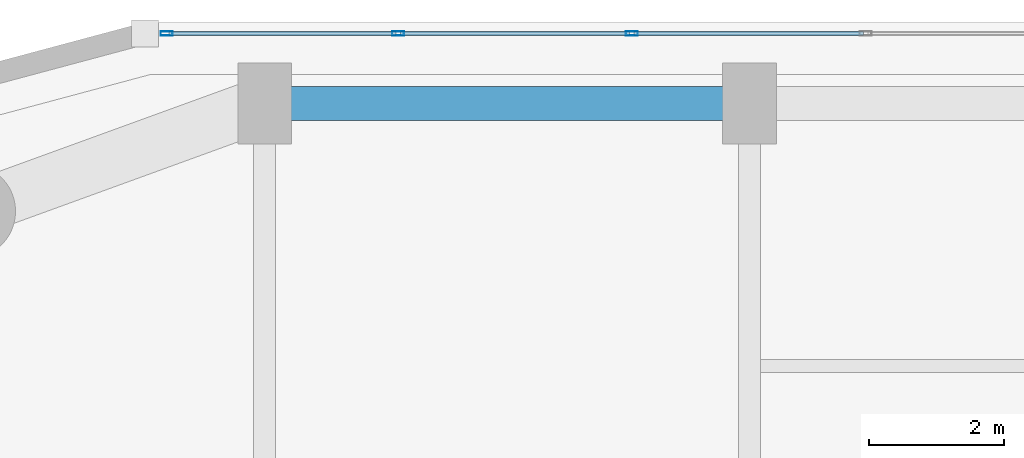
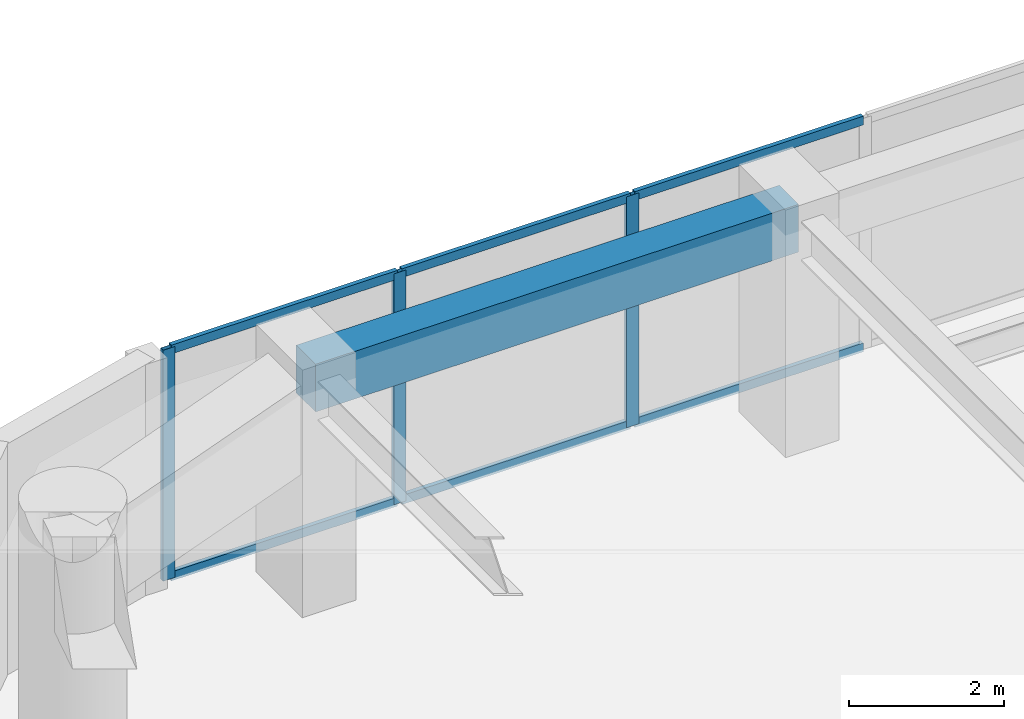
# One storey, part 13 of 24: 9 members, 1 beam, 1 element without a shape of its own.
"""IFC4 building model written with IfcOpenShell, lengths in metres."""

from ifc_helpers import new_model, si_unit, direction, frame, origin, origin_2d, place, context, subcontext, project, spatial, rectangle, hollow_rectangle, extrude, material, layer, layer_set, material_profile, profile_set, type_object, element, aggregate, save


model = new_model("IFC4")

# Units and contexts
model_context = context("Model", 3, precision=1e-05, world=origin(), true_north=direction((0.0, 1.0)))
body_context = subcontext(model_context, "Body", "Model", "MODEL_VIEW")
ifc_project = project(units=[si_unit("LENGTHUNIT", "METRE"), si_unit("AREAUNIT", "SQUARE_METRE"), si_unit("VOLUMEUNIT", "CUBIC_METRE"), si_unit("PLANEANGLEUNIT", "RADIAN"), si_unit("MASSUNIT", "GRAM", prefix="KILO")], contexts=[model_context])

# Site, building, storey
site_placement = place(None, origin())
site = spatial("IfcSite", under=ifc_project, at=site_placement, CompositionType="ELEMENT")
building_placement = place(site_placement, origin())
building = spatial("IfcBuilding", under=site, at=building_placement, Name="Kiyonajd Concourse Tower", CompositionType="ELEMENT")
storey_placement = place(building_placement, frame((0.0, 0.0, 101.39990234375)))
storey = spatial("IfcBuildingStorey", under=building, at=storey_placement, Name="L26", CompositionType="ELEMENT", Elevation=101.39990234375)

# Beam
ifc_material_1 = material(Name="Precast concrete C50/60", Category="concrete")
ifc_material_profile_1 = material_profile(ifc_material_1, rectangle(XDim=0.5, YDim=0.75, at=origin_2d()), Name="RCBM-500x750")
ifc_profile_set_1 = profile_set([ifc_material_profile_1], Name="Precast concrete C50/60")
beam_type = type_object("IfcBeamType", Name="BM-SPAN-RC", PredefinedType="SPANDREL", material=ifc_profile_set_1)
beam_placement = place(storey_placement, frame((32.39990234375, 61.199951171875, 3.26513671875), z_axis=(-1.0, 0.0, 0.0), x_axis=(0.0, -1.0, 0.0)))
element("IfcBeam", 1, at=beam_placement, inside=storey, type_object=beam_type, Name="L26 Perimeter Bundled Tube Spandrel", PredefinedType="SPANDREL", context=body_context, shape_type="SweptSolid", body=[
    extrude(rectangle(XDim=0.5, YDim=0.75, at=origin_2d()), origin(), (0.0, 0.0, 1.0), 7.199951171875),
])

# Curtain wall, members
ifc_material_2 = material(Name="Thermally Broken Anodised Aluminium", Category="aluminium")
ifc_layer = layer(ifc_material_2, 0.179931640625)
ifc_layer_set = layer_set([ifc_layer], Name="Thermally Broken Anodised Aluminium")
curtain_wall_type = type_object("IfcCurtainWallType", Name="CW-SYS-03", PredefinedType="NOTDEFINED", material=ifc_layer_set)
curtain_wall_placement = place(storey_placement, origin())
curtain_wall = element("IfcCurtainWall", 2, at=curtain_wall_placement, inside=storey, type_object=curtain_wall_type, Name="L26 Unitised Curtain Wall CW3", PredefinedType="NOTDEFINED")
ifc_material_profile_2 = material_profile(ifc_material_2, hollow_rectangle(XDim=0.06494140625, YDim=0.179931640625, WallThickness=0.00390625, at=origin_2d()), Name="MULL-65x180")
ifc_profile_set_2 = profile_set([ifc_material_profile_2], Name="Thermally Broken Anodised Aluminium")
member_type_1 = type_object("IfcMemberType", Name="MB-CW-MULL1", PredefinedType="MULLION", material=ifc_profile_set_2)
member_1_placement = place(storey_placement, frame((23.74365234375, 62.239990234375, 0.0), z_axis=(0.0, 0.0, 1.0), x_axis=(0.0, 1.0, 0.0)))
member_1 = element("IfcMember", 3, at=member_1_placement, type_object=member_type_1, Name="CW3 mullion 1", PredefinedType="MULLION", context=body_context, shape_type="SweptSolid", body=[
    extrude(hollow_rectangle(XDim=0.06494140625, YDim=0.179931640625, WallThickness=0.00390625, at=origin_2d()), origin(), (0.0, 0.0, 1.0), 3.64013671875),
])
member_2_placement = place(storey_placement, frame((27.181884765625, 62.239990234375, 0.0), z_axis=(0.0, 0.0, 1.0), x_axis=(0.0, 1.0, 0.0)))
member_2 = element("IfcMember", 4, at=member_2_placement, type_object=member_type_1, Name="CW3 mullion 2", PredefinedType="MULLION", context=body_context, shape_type="SweptSolid", body=[
    extrude(hollow_rectangle(XDim=0.06494140625, YDim=0.179931640625, WallThickness=0.00390625, at=origin_2d()), origin(), (0.0, 0.0, 1.0), 3.64013671875),
])
member_3_placement = place(storey_placement, frame((30.652587890625, 62.239990234375, 0.0), z_axis=(0.0, 0.0, 1.0), x_axis=(0.0, 1.0, 0.0)))
member_3 = element("IfcMember", 5, at=member_3_placement, type_object=member_type_1, Name="CW3 mullion 3", PredefinedType="MULLION", context=body_context, shape_type="SweptSolid", body=[
    extrude(hollow_rectangle(XDim=0.06494140625, YDim=0.179931640625, WallThickness=0.00390625, at=origin_2d()), origin(), (0.0, 0.0, 1.0), 3.64013671875),
])
ifc_material_profile_3 = material_profile(ifc_material_2, hollow_rectangle(XDim=0.06494140625, YDim=0.139892578125, WallThickness=0.00390625, at=origin_2d()), Name="TRAN-65x140")
ifc_profile_set_3 = profile_set([ifc_material_profile_3], Name="Thermally Broken Anodised Aluminium")
member_type_2 = type_object("IfcMemberType", Name="MB-CW-TRAN1", PredefinedType="USERDEFINED", material=ifc_profile_set_3)
member_4_placement = place(storey_placement, frame((23.776123046875, 62.239990234375, 0.03271484375), z_axis=(1.0, 0.0, 0.0), x_axis=(0.0, 1.0, 0.0)))
member_4 = element("IfcMember", 6, at=member_4_placement, type_object=member_type_2, Name="CW3 transom 1.1", ObjectType="TRANSOM", PredefinedType="USERDEFINED", context=body_context, shape_type="SweptSolid", body=[
    extrude(hollow_rectangle(XDim=0.06494140625, YDim=0.139892578125, WallThickness=0.00390625, at=origin_2d()), origin(), (0.0, 0.0, 1.0), 3.373291015625),
])
member_5_placement = place(storey_placement, frame((23.776123046875, 62.239990234375, 3.607666015625), z_axis=(1.0, 0.0, 0.0), x_axis=(0.0, 1.0, 0.0)))
member_5 = element("IfcMember", 7, at=member_5_placement, type_object=member_type_2, Name="CW3 transom 1.2", ObjectType="TRANSOM", PredefinedType="USERDEFINED", context=body_context, shape_type="SweptSolid", body=[
    extrude(hollow_rectangle(XDim=0.06494140625, YDim=0.139892578125, WallThickness=0.00390625, at=origin_2d()), origin(), (0.0, 0.0, 1.0), 3.373291015625),
])
member_6_placement = place(storey_placement, frame((27.21435546875, 62.239990234375, 0.03271484375), z_axis=(1.0, 0.0, 0.0), x_axis=(0.0, 1.0, 0.0)))
member_6 = element("IfcMember", 8, at=member_6_placement, type_object=member_type_2, Name="CW3 transom 2.1", ObjectType="TRANSOM", PredefinedType="USERDEFINED", context=body_context, shape_type="SweptSolid", body=[
    extrude(hollow_rectangle(XDim=0.06494140625, YDim=0.139892578125, WallThickness=0.00390625, at=origin_2d()), origin(), (0.0, 0.0, 1.0), 3.40576171875),
])
member_7_placement = place(storey_placement, frame((27.21435546875, 62.239990234375, 3.607666015625), z_axis=(1.0, 0.0, 0.0), x_axis=(0.0, 1.0, 0.0)))
member_7 = element("IfcMember", 9, at=member_7_placement, type_object=member_type_2, Name="CW3 transom 2.2", ObjectType="TRANSOM", PredefinedType="USERDEFINED", context=body_context, shape_type="SweptSolid", body=[
    extrude(hollow_rectangle(XDim=0.06494140625, YDim=0.139892578125, WallThickness=0.00390625, at=origin_2d()), origin(), (0.0, 0.0, 1.0), 3.40576171875),
])
member_8_placement = place(storey_placement, frame((30.68505859375, 62.239990234375, 0.03271484375), z_axis=(1.0, 0.0, 0.0), x_axis=(0.0, 1.0, 0.0)))
member_8 = element("IfcMember", 10, at=member_8_placement, type_object=member_type_2, Name="CW3 transom 3.1", ObjectType="TRANSOM", PredefinedType="USERDEFINED", context=body_context, shape_type="SweptSolid", body=[
    extrude(hollow_rectangle(XDim=0.06494140625, YDim=0.139892578125, WallThickness=0.00390625, at=origin_2d()), origin(), (0.0, 0.0, 1.0), 3.40576171875),
])
member_9_placement = place(storey_placement, frame((30.68505859375, 62.239990234375, 3.607666015625), z_axis=(1.0, 0.0, 0.0), x_axis=(0.0, 1.0, 0.0)))
member_9 = element("IfcMember", 11, at=member_9_placement, type_object=member_type_2, Name="CW3 transom 3.2", ObjectType="TRANSOM", PredefinedType="USERDEFINED", context=body_context, shape_type="SweptSolid", body=[
    extrude(hollow_rectangle(XDim=0.06494140625, YDim=0.139892578125, WallThickness=0.00390625, at=origin_2d()), origin(), (0.0, 0.0, 1.0), 3.40576171875),
])
aggregate(curtain_wall, [member_1, member_2, member_3, member_4, member_5, member_6, member_7, member_8, member_9])

save(model, "model.ifc")
